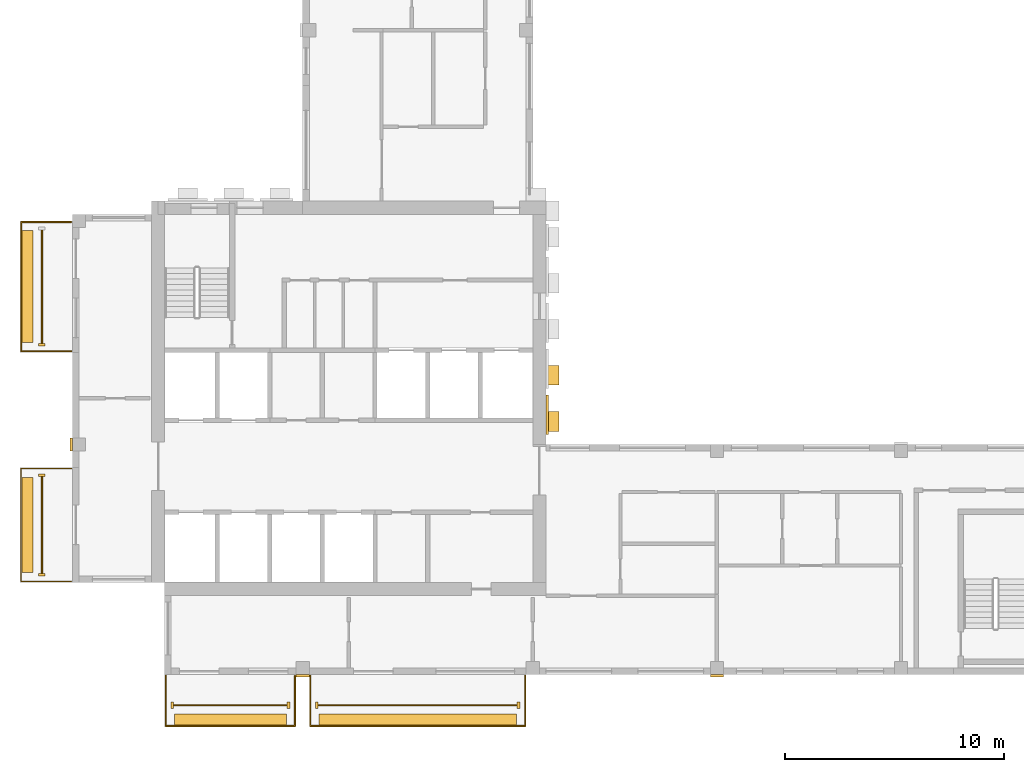
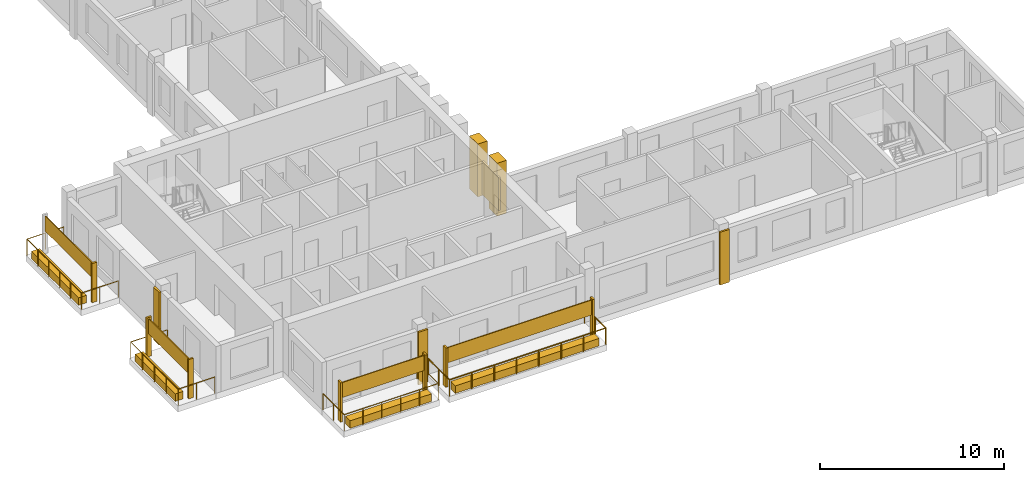
# One storey, part 7 of 10: 21 coverings, 4 railings.
"""IFC4 building model written with IfcOpenShell, lengths in metres."""

from ifc_helpers import new_model, si_unit, direction, frame, origin, origin_2d, place, context, subcontext, project, spatial, rectangle, circle, extrude, source, transform, mapped, material, type_object, element, save


model = new_model("IFC4")

# Units and contexts
model_context = context("Model", 3, precision=1e-05, world=origin(), true_north=direction((0.0, 1.0)))
body_context = subcontext(model_context, "Body", "Model", "MODEL_VIEW")
ifc_project = project(units=[si_unit("LENGTHUNIT", "METRE"), si_unit("AREAUNIT", "SQUARE_METRE"), si_unit("VOLUMEUNIT", "CUBIC_METRE"), si_unit("PLANEANGLEUNIT", "RADIAN"), si_unit("MASSUNIT", "GRAM", prefix="KILO")], contexts=[model_context])

# Site, building, storey
site_placement = place(None, origin())
site = spatial("IfcSite", under=ifc_project, at=site_placement, CompositionType="ELEMENT")
building_placement = place(site_placement, origin())
building = spatial("IfcBuilding", under=site, at=building_placement, Name="Aurelian Terraces", CompositionType="ELEMENT")
storey_placement = place(building_placement, frame((0.0, 0.0, 361.5)))
storey = spatial("IfcBuildingStorey", under=building, at=storey_placement, Name="L86", CompositionType="ELEMENT", Elevation=361.5)

# Coverings
ifc_material_1 = material(Name="Terracotta rainscreen cladding relief", Category="masonry")
covering_type_1 = type_object("IfcCoveringType", Name="FIN-TC", PredefinedType="CLADDING", material=ifc_material_1)
shared_shape_1 = source(origin(), body_context, "Body", "SweptSolid", [
    extrude(rectangle(XDim=0.3, YDim=0.12, at=origin_2d()), origin(), (0.0, 0.0, 1.0), 2.6),
])
for number, where, z_axis, x_axis, name in (
    (1, (-1.4, 15.05, 0.0), (0.0, 0.0, 1.0), (1.0, 0.0, 0.0), "FIN L86 L86-F12-22.2"),
    (2, (-1.4, 9.1, 0.0), (0.0, 0.0, 1.0), (1.0, 0.0, 0.0), "FIN L86 L86-F12-24.1"),
    (3, (-1.4, 4.55, 0.0), (0.0, 0.0, 1.0), (1.0, 0.0, 0.0), "FIN L86 L86-F12-24.2"),
):
    element("IfcCovering", number, at=place(storey_placement, frame(where, z_axis=z_axis, x_axis=x_axis)), inside=storey, type_object=covering_type_1, Name=name, PredefinedType="CLADDING", context=body_context, shape_type="MappedRepresentation", body=[
        mapped(shared_shape_1, transform((0.0, 0.0, 0.0), scale=1.0)),
    ])
shared_shape_2 = source(origin(), body_context, "Body", "SweptSolid", [
    extrude(rectangle(XDim=0.12, YDim=0.3, at=origin_2d()), origin(), (0.0, 0.0, 1.0), 2.6),
])
for number, where, z_axis, x_axis, name in (
    (4, (4.55, -1.4, 0.0), (0.0, 0.0, 1.0), (1.0, 0.0, 0.0), "FIN L86 L86-F01-01.1"),
    (5, (9.85, -1.4, 0.0), (0.0, 0.0, 1.0), (1.0, 0.0, 0.0), "FIN L86 L86-F01-01.2"),
    (6, (11.15, -1.4, 0.0), (0.0, 0.0, 1.0), (1.0, 0.0, 0.0), "FIN L86 L86-F01-02.1"),
    (7, (20.35, -1.4, 0.0), (0.0, 0.0, 1.0), (1.0, 0.0, 0.0), "FIN L86 L86-F01-02.2"),
):
    element("IfcCovering", number, at=place(storey_placement, frame(where, z_axis=z_axis, x_axis=x_axis)), inside=storey, type_object=covering_type_1, Name=name, PredefinedType="CLADDING", context=body_context, shape_type="MappedRepresentation", body=[
        mapped(shared_shape_2, transform((0.0, 0.0, 0.0), scale=1.0)),
    ])

# Railing
ifc_material_2 = material(Name="Anodised aluminium", Category="aluminium")
railing_type = type_object("IfcRailingType", Name="GUARD-1100", PredefinedType="GUARDRAIL", material=ifc_material_2)
shared_shape_3 = source(origin(), body_context, "Body", "SweptSolid", [
    extrude(circle(Radius=0.024, at=origin_2d()), frame((0.0, 0.0, 1.076), z_axis=(-1.0, 0.0, 0.0), x_axis=(0.0, -1.0, 0.0)), (0.0, 0.0, 1.0), 2.3),
    extrude(circle(Radius=0.024, at=origin_2d()), frame((-2.3, 0.0, 1.076), z_axis=(0.0, -1.0, 0.0), x_axis=(1.0, 0.0, 0.0)), (0.0, 0.0, 1.0), 5.15),
    extrude(circle(Radius=0.024, at=origin_2d()), frame((-2.3, -5.15, 1.076), z_axis=(1.0, 0.0, 0.0), x_axis=(0.0, 1.0, 0.0)), (0.0, 0.0, 1.0), 2.3),
    extrude(circle(Radius=0.021, at=origin_2d()), origin(), (0.0, 0.0, 1.0), 1.052),
    extrude(circle(Radius=0.021, at=origin_2d()), frame((-1.15, 0.0, 0.0)), (0.0, 0.0, 1.0), 1.052),
    extrude(circle(Radius=0.021, at=origin_2d()), frame((-2.3, 0.0, 0.0)), (0.0, 0.0, 1.0), 1.052),
    extrude(circle(Radius=0.021, at=origin_2d()), frame((-2.3, -1.2875, 0.0)), (0.0, 0.0, 1.0), 1.052),
    extrude(circle(Radius=0.021, at=origin_2d()), frame((-2.3, -2.575, 0.0)), (0.0, 0.0, 1.0), 1.052),
    extrude(circle(Radius=0.021, at=origin_2d()), frame((-2.3, -3.8625, 0.0)), (0.0, 0.0, 1.0), 1.052),
    extrude(circle(Radius=0.021, at=origin_2d()), frame((-2.3, -5.15, 0.0)), (0.0, 0.0, 1.0), 1.052),
    extrude(circle(Radius=0.021, at=origin_2d()), frame((-1.15, -5.15, 0.0)), (0.0, 0.0, 1.0), 1.052),
    extrude(circle(Radius=0.021, at=origin_2d()), frame((0.0, -5.15, 0.0)), (0.0, 0.0, 1.0), 1.052),
])
railing_1_placement = place(storey_placement, frame((-0.05, 9.4, 0.0)))
element("IfcRailing", 8, at=railing_1_placement, inside=storey, type_object=railing_type, Name="Balcony guard L86 F12.24", PredefinedType="GUARDRAIL", context=body_context, shape_type="MappedRepresentation", body=[
    mapped(shared_shape_3, transform((0.0, 0.0, 0.0), scale=1.0)),
])

# Coverings
ifc_material_3 = material(Name="Terracotta planter with planting soil", Category="masonry")
covering_type_2 = type_object("IfcCoveringType", Name="PLANTER-TROUGH", PredefinedType="USERDEFINED", material=ifc_material_3)
shared_shape_4 = source(origin(), body_context, "Body", "SweptSolid", [
    extrude(rectangle(XDim=0.5, YDim=4.35, at=origin_2d()), origin(), (0.0, 0.0, 1.0), 0.5),
])
covering_1_placement = place(storey_placement, frame((-2.05, 6.825, 0.0), z_axis=(0.0, 0.0, 1.0), x_axis=(1.0, 0.0, 0.0)))
element("IfcCovering", 9, at=covering_1_placement, inside=storey, type_object=covering_type_2, Name="PLANTER L86 L86-F12-24", ObjectType="PLANTER", PredefinedType="USERDEFINED", context=body_context, shape_type="MappedRepresentation", body=[
    mapped(shared_shape_4, transform((0.0, 0.0, 0.0), scale=1.0)),
])
ifc_material_4 = material(Name="Terracotta rainscreen cladding", Category="masonry")
covering_type_3 = type_object("IfcCoveringType", Name="SCREEN-TC", PredefinedType="CLADDING", material=ifc_material_4)
shared_shape_5 = source(origin(), body_context, "Body", "SweptSolid", [
    extrude(rectangle(XDim=0.06, YDim=4.43, at=origin_2d()), origin(), (0.0, 0.0, 1.0), 1.0),
])
covering_2_placement = place(storey_placement, frame((-1.4, 6.825, 1.5), z_axis=(0.0, 0.0, 1.0), x_axis=(1.0, 0.0, 0.0)))
element("IfcCovering", 10, at=covering_2_placement, inside=storey, type_object=covering_type_3, Name="SCREEN L86 L86-F12-24", PredefinedType="CLADDING", context=body_context, shape_type="MappedRepresentation", body=[
    mapped(shared_shape_5, transform((0.0, 0.0, 0.0), scale=1.0)),
])
ifc_material_5 = material(Name="Terracotta rainscreen cladding louvre blades", Category="masonry")
covering_type_4 = type_object("IfcCoveringType", Name="LOUVRE-TC", PredefinedType="CLADDING", material=ifc_material_5)
shared_shape_6 = source(origin(), body_context, "Body", "SweptSolid", [
    extrude(rectangle(XDim=0.12, YDim=1.8, at=origin_2d()), origin(), (0.0, 0.0, 1.0), 2.2),
])
covering_3_placement = place(storey_placement, frame((21.66, 11.85, 0.45), z_axis=(0.0, 0.0, 1.0), x_axis=(1.0, 0.0, 0.0)))
element("IfcCovering", 11, at=covering_3_placement, inside=storey, type_object=covering_type_4, Name="LOUVRE L86 core face E.1", PredefinedType="CLADDING", context=body_context, shape_type="MappedRepresentation", body=[
    mapped(shared_shape_6, transform((0.0, 0.0, 0.0), scale=1.0)),
])
covering_type_5 = type_object("IfcCoveringType", Name="BAGUETTE-TC", PredefinedType="CLADDING", material=ifc_material_1)
shared_shape_7 = source(origin(), body_context, "Body", "SweptSolid", [
    extrude(rectangle(XDim=0.6, YDim=0.12, at=origin_2d()), origin(), (0.0, 0.0, 1.0), 3.5),
])
for number, where, z_axis, x_axis, name in (
    (12, (10.5, -0.06, -0.4), (0.0, 0.0, 1.0), (1.0, 0.0, 0.0), "BAGUETTE pier L86 1"),
    (13, (29.4, -0.06, -0.4), (0.0, 0.0, 1.0), (1.0, 0.0, 0.0), "BAGUETTE pier L86 2"),
):
    element("IfcCovering", number, at=place(storey_placement, frame(where, z_axis=z_axis, x_axis=x_axis)), inside=storey, type_object=covering_type_5, Name=name, PredefinedType="CLADDING", context=body_context, shape_type="MappedRepresentation", body=[
        mapped(shared_shape_7, transform((0.0, 0.0, 0.0), scale=1.0)),
    ])
shared_shape_8 = source(origin(), body_context, "Body", "SweptSolid", [
    extrude(rectangle(XDim=0.12, YDim=0.6, at=origin_2d()), origin(), (0.0, 0.0, 1.0), 3.5),
])
covering_4_placement = place(storey_placement, frame((-0.06, 10.5, -0.4), z_axis=(0.0, 0.0, 1.0), x_axis=(1.0, 0.0, 0.0)))
element("IfcCovering", 14, at=covering_4_placement, inside=storey, type_object=covering_type_5, Name="BAGUETTE pier L86 5", PredefinedType="CLADDING", context=body_context, shape_type="MappedRepresentation", body=[
    mapped(shared_shape_8, transform((0.0, 0.0, 0.0), scale=1.0)),
])

# Railing
shared_shape_9 = source(origin(), body_context, "Body", "SweptSolid", [
    extrude(circle(Radius=0.024, at=origin_2d()), frame((0.0, 0.0, 1.076), z_axis=(0.0, -1.0, 0.0), x_axis=(1.0, 0.0, 0.0)), (0.0, 0.0, 1.0), 2.3),
    extrude(circle(Radius=0.024, at=origin_2d()), frame((0.0, -2.3, 1.076), z_axis=(1.0, 0.0, 0.0), x_axis=(0.0, 1.0, 0.0)), (0.0, 0.0, 1.0), 5.9),
    extrude(circle(Radius=0.024, at=origin_2d()), frame((5.9, -2.3, 1.076), z_axis=(0.0, 1.0, 0.0), x_axis=(-1.0, 0.0, 0.0)), (0.0, 0.0, 1.0), 2.3),
    extrude(circle(Radius=0.021, at=origin_2d()), origin(), (0.0, 0.0, 1.0), 1.052),
    extrude(circle(Radius=0.021, at=origin_2d()), frame((0.0, -1.15, 0.0)), (0.0, 0.0, 1.0), 1.052),
    extrude(circle(Radius=0.021, at=origin_2d()), frame((0.0, -2.3, 0.0)), (0.0, 0.0, 1.0), 1.052),
    extrude(circle(Radius=0.021, at=origin_2d()), frame((1.18, -2.3, 0.0)), (0.0, 0.0, 1.0), 1.052),
    extrude(circle(Radius=0.021, at=origin_2d()), frame((2.36, -2.3, 0.0)), (0.0, 0.0, 1.0), 1.052),
    extrude(circle(Radius=0.021, at=origin_2d()), frame((3.54, -2.3, 0.0)), (0.0, 0.0, 1.0), 1.052),
    extrude(circle(Radius=0.021, at=origin_2d()), frame((4.72, -2.3, 0.0)), (0.0, 0.0, 1.0), 1.052),
    extrude(circle(Radius=0.021, at=origin_2d()), frame((5.9, -2.3, 0.0)), (0.0, 0.0, 1.0), 1.052),
    extrude(circle(Radius=0.021, at=origin_2d()), frame((5.9, -1.15, 0.0)), (0.0, 0.0, 1.0), 1.052),
    extrude(circle(Radius=0.021, at=origin_2d()), frame((5.9, 0.0, 0.0)), (0.0, 0.0, 1.0), 1.052),
])
railing_2_placement = place(storey_placement, frame((4.25, -0.05, 0.0)))
element("IfcRailing", 15, at=railing_2_placement, inside=storey, type_object=railing_type, Name="Balcony guard L86 F01.1", PredefinedType="GUARDRAIL", context=body_context, shape_type="MappedRepresentation", body=[
    mapped(shared_shape_9, transform((0.0, 0.0, 0.0), scale=1.0)),
])

# Coverings
shared_shape_10 = source(origin(), body_context, "Body", "SweptSolid", [
    extrude(rectangle(XDim=5.1, YDim=0.5, at=origin_2d()), origin(), (0.0, 0.0, 1.0), 0.5),
])
covering_5_placement = place(storey_placement, frame((7.2, -2.05, 0.0), z_axis=(0.0, 0.0, 1.0), x_axis=(1.0, 0.0, 0.0)))
element("IfcCovering", 16, at=covering_5_placement, inside=storey, type_object=covering_type_2, Name="PLANTER L86 L86-F01-01", ObjectType="PLANTER", PredefinedType="USERDEFINED", context=body_context, shape_type="MappedRepresentation", body=[
    mapped(shared_shape_10, transform((0.0, 0.0, 0.0), scale=1.0)),
])
shared_shape_11 = source(origin(), body_context, "Body", "SweptSolid", [
    extrude(rectangle(XDim=5.18, YDim=0.06, at=origin_2d()), origin(), (0.0, 0.0, 1.0), 1.0),
])
covering_6_placement = place(storey_placement, frame((7.2, -1.4, 1.5), z_axis=(0.0, 0.0, 1.0), x_axis=(1.0, 0.0, 0.0)))
element("IfcCovering", 17, at=covering_6_placement, inside=storey, type_object=covering_type_3, Name="SCREEN L86 L86-F01-01", PredefinedType="CLADDING", context=body_context, shape_type="MappedRepresentation", body=[
    mapped(shared_shape_11, transform((0.0, 0.0, 0.0), scale=1.0)),
])

# Railing
shared_shape_12 = source(origin(), body_context, "Body", "SweptSolid", [
    extrude(circle(Radius=0.024, at=origin_2d()), frame((0.0, 0.0, 1.076), z_axis=(0.0, -1.0, 0.0), x_axis=(1.0, 0.0, 0.0)), (0.0, 0.0, 1.0), 2.3),
    extrude(circle(Radius=0.024, at=origin_2d()), frame((0.0, -2.3, 1.076), z_axis=(1.0, 0.0, 0.0), x_axis=(0.0, 1.0, 0.0)), (0.0, 0.0, 1.0), 9.8),
    extrude(circle(Radius=0.024, at=origin_2d()), frame((9.8, -2.3, 1.076), z_axis=(0.0, 1.0, 0.0), x_axis=(-1.0, 0.0, 0.0)), (0.0, 0.0, 1.0), 2.3),
    extrude(circle(Radius=0.021, at=origin_2d()), origin(), (0.0, 0.0, 1.0), 1.052),
    extrude(circle(Radius=0.021, at=origin_2d()), frame((0.0, -1.15, 0.0)), (0.0, 0.0, 1.0), 1.052),
    extrude(circle(Radius=0.021, at=origin_2d()), frame((0.0, -2.3, 0.0)), (0.0, 0.0, 1.0), 1.052),
    extrude(circle(Radius=0.021, at=origin_2d()), frame((1.4, -2.3, 0.0)), (0.0, 0.0, 1.0), 1.052),
    extrude(circle(Radius=0.021, at=origin_2d()), frame((2.8, -2.3, 0.0)), (0.0, 0.0, 1.0), 1.052),
    extrude(circle(Radius=0.021, at=origin_2d()), frame((4.2, -2.3, 0.0)), (0.0, 0.0, 1.0), 1.052),
    extrude(circle(Radius=0.021, at=origin_2d()), frame((5.6, -2.3, 0.0)), (0.0, 0.0, 1.0), 1.052),
    extrude(circle(Radius=0.021, at=origin_2d()), frame((7.0, -2.3, 0.0)), (0.0, 0.0, 1.0), 1.052),
    extrude(circle(Radius=0.021, at=origin_2d()), frame((8.4, -2.3, 0.0)), (0.0, 0.0, 1.0), 1.052),
    extrude(circle(Radius=0.021, at=origin_2d()), frame((9.8, -2.3, 0.0)), (0.0, 0.0, 1.0), 1.052),
    extrude(circle(Radius=0.021, at=origin_2d()), frame((9.8, -1.15, 0.0)), (0.0, 0.0, 1.0), 1.052),
    extrude(circle(Radius=0.021, at=origin_2d()), frame((9.8, 0.0, 0.0)), (0.0, 0.0, 1.0), 1.052),
])
railing_3_placement = place(storey_placement, frame((10.85, -0.05, 0.0)))
element("IfcRailing", 18, at=railing_3_placement, inside=storey, type_object=railing_type, Name="Balcony guard L86 F01.2", PredefinedType="GUARDRAIL", context=body_context, shape_type="MappedRepresentation", body=[
    mapped(shared_shape_12, transform((0.0, 0.0, 0.0), scale=1.0)),
])

# Coverings
shared_shape_13 = source(origin(), body_context, "Body", "SweptSolid", [
    extrude(rectangle(XDim=9.0, YDim=0.5, at=origin_2d()), origin(), (0.0, 0.0, 1.0), 0.5),
])
covering_7_placement = place(storey_placement, frame((15.75, -2.05, 0.0), z_axis=(0.0, 0.0, 1.0), x_axis=(1.0, 0.0, 0.0)))
element("IfcCovering", 19, at=covering_7_placement, inside=storey, type_object=covering_type_2, Name="PLANTER L86 L86-F01-02", ObjectType="PLANTER", PredefinedType="USERDEFINED", context=body_context, shape_type="MappedRepresentation", body=[
    mapped(shared_shape_13, transform((0.0, 0.0, 0.0), scale=1.0)),
])
shared_shape_14 = source(origin(), body_context, "Body", "SweptSolid", [
    extrude(rectangle(XDim=9.08, YDim=0.06, at=origin_2d()), origin(), (0.0, 0.0, 1.0), 1.0),
])
covering_8_placement = place(storey_placement, frame((15.75, -1.4, 1.5), z_axis=(0.0, 0.0, 1.0), x_axis=(1.0, 0.0, 0.0)))
element("IfcCovering", 20, at=covering_8_placement, inside=storey, type_object=covering_type_3, Name="SCREEN L86 L86-F01-02", PredefinedType="CLADDING", context=body_context, shape_type="MappedRepresentation", body=[
    mapped(shared_shape_14, transform((0.0, 0.0, 0.0), scale=1.0)),
])

# Railing
shared_shape_15 = source(origin(), body_context, "Body", "SweptSolid", [
    extrude(circle(Radius=0.024, at=origin_2d()), frame((0.0, 0.0, 1.076), z_axis=(-1.0, 0.0, 0.0), x_axis=(0.0, -1.0, 0.0)), (0.0, 0.0, 1.0), 2.3),
    extrude(circle(Radius=0.024, at=origin_2d()), frame((-2.3, 0.0, 1.076), z_axis=(0.0, -1.0, 0.0), x_axis=(1.0, 0.0, 0.0)), (0.0, 0.0, 1.0), 5.9),
    extrude(circle(Radius=0.024, at=origin_2d()), frame((-2.3, -5.9, 1.076), z_axis=(1.0, 0.0, 0.0), x_axis=(0.0, 1.0, 0.0)), (0.0, 0.0, 1.0), 2.3),
    extrude(circle(Radius=0.021, at=origin_2d()), origin(), (0.0, 0.0, 1.0), 1.052),
    extrude(circle(Radius=0.021, at=origin_2d()), frame((-1.15, 0.0, 0.0)), (0.0, 0.0, 1.0), 1.052),
    extrude(circle(Radius=0.021, at=origin_2d()), frame((-2.3, 0.0, 0.0)), (0.0, 0.0, 1.0), 1.052),
    extrude(circle(Radius=0.021, at=origin_2d()), frame((-2.3, -1.18, 0.0)), (0.0, 0.0, 1.0), 1.052),
    extrude(circle(Radius=0.021, at=origin_2d()), frame((-2.3, -2.36, 0.0)), (0.0, 0.0, 1.0), 1.052),
    extrude(circle(Radius=0.021, at=origin_2d()), frame((-2.3, -3.54, 0.0)), (0.0, 0.0, 1.0), 1.052),
    extrude(circle(Radius=0.021, at=origin_2d()), frame((-2.3, -4.72, 0.0)), (0.0, 0.0, 1.0), 1.052),
    extrude(circle(Radius=0.021, at=origin_2d()), frame((-2.3, -5.9, 0.0)), (0.0, 0.0, 1.0), 1.052),
    extrude(circle(Radius=0.021, at=origin_2d()), frame((-1.15, -5.9, 0.0)), (0.0, 0.0, 1.0), 1.052),
    extrude(circle(Radius=0.021, at=origin_2d()), frame((0.0, -5.9, 0.0)), (0.0, 0.0, 1.0), 1.052),
])
railing_4_placement = place(storey_placement, frame((-0.05, 20.65, 0.0)))
element("IfcRailing", 21, at=railing_4_placement, inside=storey, type_object=railing_type, Name="Balcony guard L86 F12.22", PredefinedType="GUARDRAIL", context=body_context, shape_type="MappedRepresentation", body=[
    mapped(shared_shape_15, transform((0.0, 0.0, 0.0), scale=1.0)),
])

# Coverings
shared_shape_16 = source(origin(), body_context, "Body", "SweptSolid", [
    extrude(rectangle(XDim=0.5, YDim=5.1, at=origin_2d()), origin(), (0.0, 0.0, 1.0), 0.5),
])
covering_9_placement = place(storey_placement, frame((-2.05, 17.7, 0.0), z_axis=(0.0, 0.0, 1.0), x_axis=(1.0, 0.0, 0.0)))
element("IfcCovering", 22, at=covering_9_placement, inside=storey, type_object=covering_type_2, Name="PLANTER L86 L86-F12-22", ObjectType="PLANTER", PredefinedType="USERDEFINED", context=body_context, shape_type="MappedRepresentation", body=[
    mapped(shared_shape_16, transform((0.0, 0.0, 0.0), scale=1.0)),
])
shared_shape_17 = source(origin(), body_context, "Body", "SweptSolid", [
    extrude(rectangle(XDim=0.06, YDim=5.18, at=origin_2d()), origin(), (0.0, 0.0, 1.0), 1.0),
])
covering_10_placement = place(storey_placement, frame((-1.4, 17.7, 1.5), z_axis=(0.0, 0.0, 1.0), x_axis=(1.0, 0.0, 0.0)))
element("IfcCovering", 23, at=covering_10_placement, inside=storey, type_object=covering_type_3, Name="SCREEN L86 L86-F12-22", PredefinedType="CLADDING", context=body_context, shape_type="MappedRepresentation", body=[
    mapped(shared_shape_17, transform((0.0, 0.0, 0.0), scale=1.0)),
])
covering_type_6 = type_object("IfcCoveringType", Name="Core spine pier 900x600", PredefinedType="CLADDING", material=ifc_material_1)
shared_shape_18 = source(origin(), body_context, "Body", "SweptSolid", [
    extrude(rectangle(XDim=0.6, YDim=0.9, at=origin_2d()), origin(), (0.0, 0.0, 1.0), 3.5),
])
for number, where, z_axis, x_axis, name in (
    (24, (21.9, 11.55, 0.0), (0.0, 0.0, 1.0), (1.0, 0.0, 0.0), "Spine pier L86 E1"),
    (25, (21.9, 13.65, 0.0), (0.0, 0.0, 1.0), (1.0, 0.0, 0.0), "Spine pier L86 E2"),
):
    element("IfcCovering", number, at=place(storey_placement, frame(where, z_axis=z_axis, x_axis=x_axis)), inside=storey, type_object=covering_type_6, Name=name, PredefinedType="CLADDING", context=body_context, shape_type="MappedRepresentation", body=[
        mapped(shared_shape_18, transform((0.0, 0.0, 0.0), scale=1.0)),
    ])

save(model, "model.ifc")
